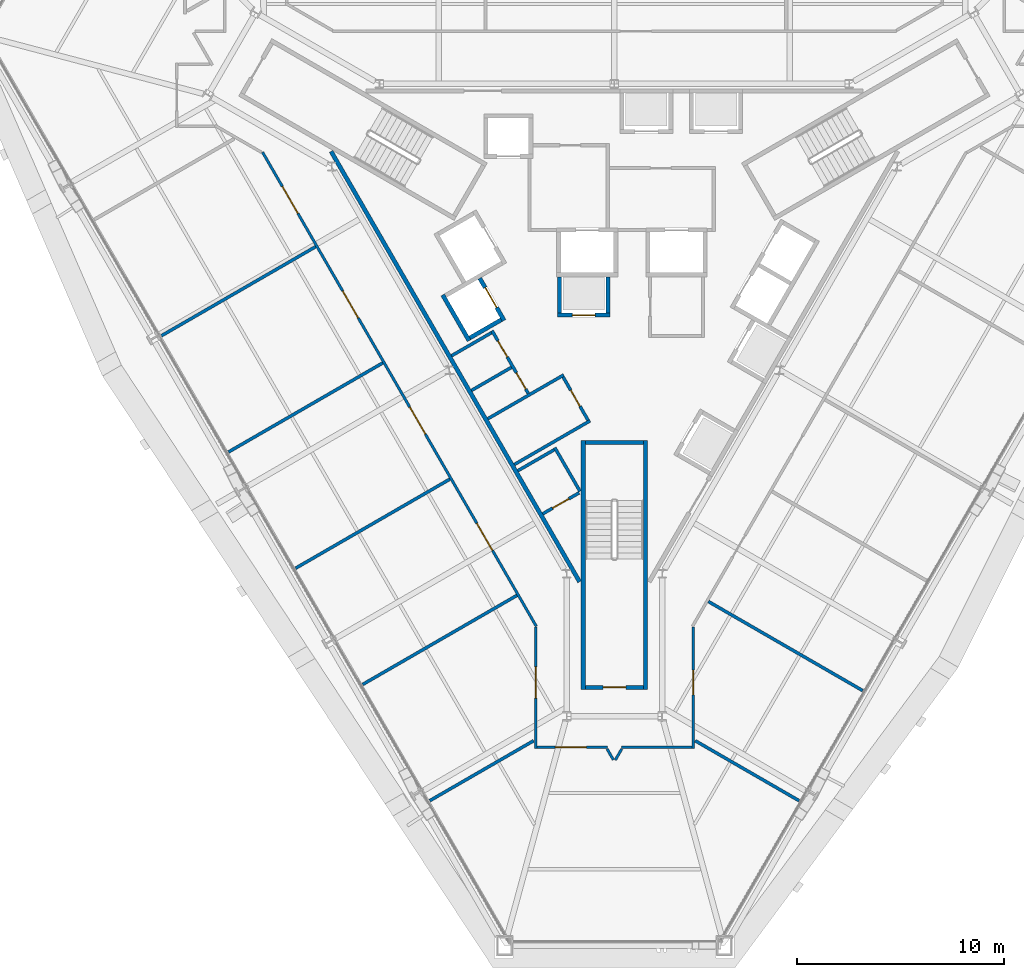
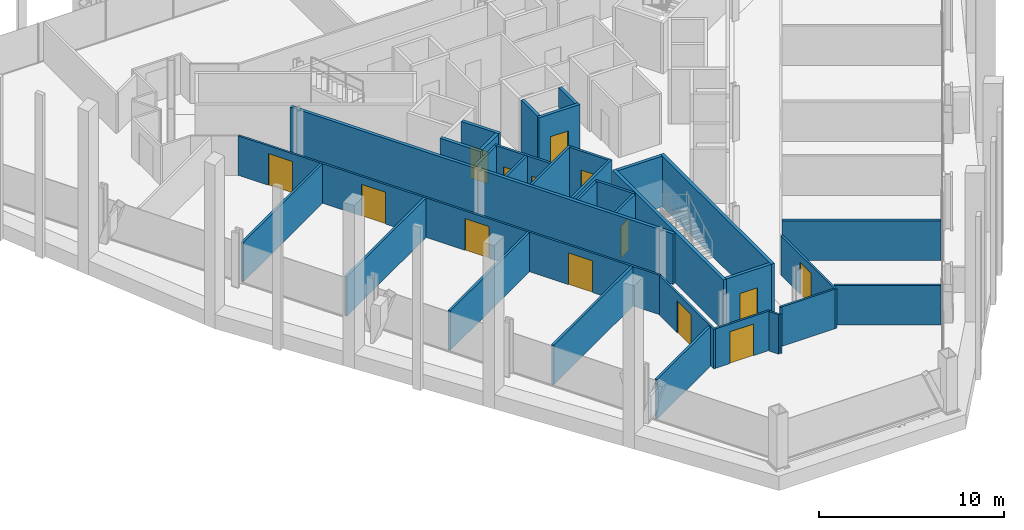
# One storey, part 10 of 16: 34 walls, 14 doors, 14 openings.
"""IFC4 building model written with IfcOpenShell, lengths in metres."""

from ifc_helpers import new_model, si_unit, direction, frame, frame_2d, origin, place, context, subcontext, project, spatial, rectangle, extrude, material, layer, layer_set, type_object, element, fill, save


model = new_model("IFC4")

# Units and contexts
model_context = context("Model", 3, precision=1e-05, world=origin(), true_north=direction((0.0, 1.0)))
body_context = subcontext(model_context, "Body", "Model", "MODEL_VIEW")
ifc_project = project(units=[si_unit("LENGTHUNIT", "METRE"), si_unit("AREAUNIT", "SQUARE_METRE"), si_unit("VOLUMEUNIT", "CUBIC_METRE"), si_unit("PLANEANGLEUNIT", "RADIAN"), si_unit("MASSUNIT", "GRAM", prefix="KILO")], contexts=[model_context])

# Site, building, storey
site_placement = place(None, origin())
site = spatial("IfcSite", under=ifc_project, at=site_placement, CompositionType="ELEMENT")
building_placement = place(site_placement, origin())
building = spatial("IfcBuilding", under=site, at=building_placement, Name="Verrane Prism Tower", CompositionType="ELEMENT")
storey_placement = place(building_placement, frame((0.0, 0.0, 36.800048828125)))
storey = spatial("IfcBuildingStorey", under=building, at=storey_placement, Name="L06", CompositionType="ELEMENT", Elevation=36.800048828125)

# Wall
ifc_material_1 = material(Name="Gypsum board partition", Category="other")
ifc_layer_1 = layer(ifc_material_1, 0.199951171875)
ifc_layer_set_1 = layer_set([ifc_layer_1], Name="CW-200 core boundary wall 2 h")
wall_type_1 = type_object("IfcWallType", Name="CW-200 core boundary wall 2 h", PredefinedType="PARTITIONING", material=ifc_layer_set_1)
wall_1_placement = place(storey_placement, frame((-13.66357421875, 5.946044921875, 0.0), z_axis=(0.0, 0.0, 1.0), x_axis=(0.499994327219, -0.866028678941, 0.0)))
element("IfcWall", 1, at=wall_1_placement, inside=storey, type_object=wall_type_1, Name="Core boundary wall CW3-001", PredefinedType="PARTITIONING", context=body_context, shape_type="SweptSolid", body=[
    extrude(rectangle(XDim=23.967529296875, YDim=0.199951171875, at=frame_2d((11.98388671875, 0.0))), origin(), (0.0, 0.0, 1.0), 3.349853515625),
])

# Wall, opening, door
ifc_material_2 = material(Name="Concrete C40/50", Category="concrete")
ifc_layer_2 = layer(ifc_material_2, 0.199951171875)
ifc_layer_set_2 = layer_set([ifc_layer_2], Name="CW-200 stair core wall concrete C40/50 3 h")
wall_type_2 = type_object("IfcWallType", Name="CW-200 stair core wall concrete C40/50 3 h", PredefinedType="PARTITIONING", material=ifc_layer_set_2)
wall_2_placement = place(storey_placement, frame((-1.39990234375, -19.89990234375, 0.0), z_axis=(0.0, 0.0, 1.0), x_axis=(1.0, 0.0, 0.0)))
wall_2 = element("IfcWall", 2, at=wall_2_placement, inside=storey, type_object=wall_type_2, Name="Stair 3 enclosure wall", PredefinedType="PARTITIONING", context=body_context, shape_type="SweptSolid", body=[
    extrude(rectangle(XDim=2.7998046875, YDim=0.199951171875, at=frame_2d((1.39990234375, 0.0))), origin(), (0.0, 0.0, 1.0), 3.349853515625),
])
opening_1_placement = place(wall_2_placement, frame((0.85009765625, 0.0, 0.0)))
opening_1 = element("IfcOpeningElement", 3, at=opening_1_placement, cuts=wall_2, Name="Opening D06502", PredefinedType="OPENING", context=body_context, shape_type="SweptSolid", body=[
    extrude(rectangle(XDim=1.10009765625, YDim=2.10009765625, at=frame_2d((0.550048828125, 1.050048828125))), frame((0.0, 0.10986328125, 0.0), z_axis=(0.0, -1.0, 0.0), x_axis=(1.0, 0.0, 0.0)), (0.0, 0.0, 1.0), 0.219970703125),
])
ifc_material_3 = material(Name="Timber veneered door leaf", Category="wood")
door_type_1 = type_object("IfcDoorType", Name="DR-1100x2100 FD90 single leaf stair", OperationType="NOTDEFINED", PredefinedType="DOOR", material=ifc_material_3)
door_1_placement = place(opening_1_placement, origin())
door_1 = element("IfcDoor", 4, at=door_1_placement, inside=storey, type_object=door_type_1, Name="Stair 3 door", OperationType="SINGLE_SWING_LEFT", OverallHeight=2.10009765625, OverallWidth=1.10009765625, PredefinedType="DOOR", context=body_context, shape_type="SweptSolid", body=[
    extrude(rectangle(XDim=1.10009765625, YDim=2.10009765625, at=frame_2d((0.550048828125, 1.050048828125))), frame((0.0, 0.02490234375, 0.0), z_axis=(0.0, -1.0, 0.0), x_axis=(1.0, 0.0, 0.0)), (0.0, 0.0, 1.0), 0.050048828125),
])
fill(opening_1, door_1)

# Walls
for number, where, z_axis, x_axis, name in (
    (5, (1.5, -8.0, 0.0), (0.0, 0.0, 1.0), (0.0, -1.0, 0.0), "Stair 3 enclosure wall"),
    (6, (-1.5, -8.0, 0.0), (0.0, 0.0, 1.0), (0.0, -1.0, 0.0), "Stair 3 enclosure wall"),
):
    element("IfcWall", number, at=place(storey_placement, frame(where, z_axis=z_axis, x_axis=x_axis)), inside=storey, type_object=wall_type_2, Name=name, PredefinedType="PARTITIONING", context=body_context, shape_type="SweptSolid", body=[
        extrude(rectangle(XDim=12.0, YDim=0.199951171875, at=frame_2d((6.0, 0.0))), origin(), (0.0, 0.0, 1.0), 3.349853515625),
    ])
wall_3_placement = place(storey_placement, frame((-1.39990234375, -8.10009765625, 0.0), z_axis=(0.0, 0.0, 1.0), x_axis=(1.0, 0.0, 0.0)))
element("IfcWall", 7, at=wall_3_placement, inside=storey, type_object=wall_type_2, Name="Stair 3 enclosure wall", PredefinedType="PARTITIONING", context=body_context, shape_type="SweptSolid", body=[
    extrude(rectangle(XDim=2.7998046875, YDim=0.199951171875, at=frame_2d((1.39990234375, 0.0))), origin(), (0.0, 0.0, 1.0), 3.349853515625),
])

# Wall, opening, door
ifc_material_4 = material(Name="Gypsum board shaft wall assembly", Category="other")
ifc_layer_3 = layer(ifc_material_4, 0.199951171875)
ifc_layer_set_3 = layer_set([ifc_layer_3], Name="HW-200 lift shaft wall 2 h")
wall_type_3 = type_object("IfcWallType", Name="HW-200 lift shaft wall 2 h", PredefinedType="PARTITIONING", material=ifc_layer_set_3)
wall_4_placement = place(storey_placement, frame((-2.7548828125, -1.949951171875, 0.0), z_axis=(0.0, 0.0, 1.0), x_axis=(1.0, 0.0, 0.0)))
wall_4 = element("IfcWall", 8, at=wall_4_placement, inside=storey, type_object=wall_type_3, Name="Lift shaft wall", PredefinedType="PARTITIONING", context=body_context, shape_type="SweptSolid", body=[
    extrude(rectangle(XDim=2.5498046875, YDim=0.199951171875, at=frame_2d((1.27490234375, 0.0))), origin(), (0.0, 0.0, 1.0), 3.599853515625),
])
opening_2_placement = place(wall_4_placement, frame((0.72509765625, 0.0, 0.0)))
opening_2 = element("IfcOpeningElement", 9, at=opening_2_placement, cuts=wall_4, Name="Opening D06508", PredefinedType="OPENING", context=body_context, shape_type="SweptSolid", body=[
    extrude(rectangle(XDim=1.10009765625, YDim=2.10009765625, at=frame_2d((0.550048828125, 1.050048828125))), frame((0.0, 0.10986328125, 0.0), z_axis=(0.0, -1.0, 0.0), x_axis=(1.0, 0.0, 0.0)), (0.0, 0.0, 1.0), 0.219970703125),
])
ifc_material_5 = material(Name="Stainless steel sliding landing door", Category="steel")
door_type_2 = type_object("IfcDoorType", Name="LD-1100x2100 lift landing door FD90 sliding", OperationType="NOTDEFINED", PredefinedType="DOOR", material=ifc_material_5)
door_2_placement = place(opening_2_placement, origin())
door_2 = element("IfcDoor", 10, at=door_2_placement, inside=storey, type_object=door_type_2, Name="Bank A lift 2 landing door", OperationType="SLIDING_TO_RIGHT", OverallHeight=2.10009765625, OverallWidth=1.10009765625, PredefinedType="DOOR", context=body_context, shape_type="SweptSolid", body=[
    extrude(rectangle(XDim=1.10009765625, YDim=2.10009765625, at=frame_2d((0.550048828125, 1.050048828125))), frame((0.0, 0.02490234375, 0.0), z_axis=(0.0, -1.0, 0.0), x_axis=(1.0, 0.0, 0.0)), (0.0, 0.0, 1.0), 0.050048828125),
])
fill(opening_2, door_2)

# Walls
for number, where, z_axis, x_axis, name in (
    (11, (-6.9697265625, -3.048095703125, 0.0), (0.0, 0.0, 1.0), (0.866036909293, 0.499980071345, 0.0), "Lift shaft wall"),
    (12, (-0.304931640625, -1.85009765625, 0.0), (0.0, 0.0, 1.0), (0.0, 1.0, 0.0), "Lift shaft wall"),
    (13, (-2.655029296875, -1.85009765625, 0.0), (0.0, 0.0, 1.0), (0.0, 1.0, 0.0), "Lift shaft wall"),
):
    element("IfcWall", number, at=place(storey_placement, frame(where, z_axis=z_axis, x_axis=x_axis)), inside=storey, type_object=wall_type_3, Name=name, PredefinedType="PARTITIONING", context=body_context, shape_type="SweptSolid", body=[
        extrude(rectangle(XDim=1.75, YDim=0.199951171875, at=frame_2d((0.875, 0.0))), origin(), (0.0, 0.0, 1.0), 3.599853515625),
    ])

# Wall, opening, door
wall_5_placement = place(storey_placement, frame((-5.317626953125, -2.209716796875, 0.0), z_axis=(0.0, 0.0, 1.0), x_axis=(-0.499938297808, 0.866061024631, 0.0)))
wall_5 = element("IfcWall", 14, at=wall_5_placement, inside=storey, type_object=wall_type_3, Name="Lift shaft wall", PredefinedType="PARTITIONING", context=body_context, shape_type="SweptSolid", body=[
    extrude(rectangle(XDim=2.349853515625, YDim=0.199951171875, at=frame_2d((1.1748046875, 0.0))), origin(), (0.0, 0.0, 1.0), 3.599853515625),
])
opening_3_placement = place(wall_5_placement, frame((0.72509765625, 0.0, 0.0)))
opening_3 = element("IfcOpeningElement", 15, at=opening_3_placement, cuts=wall_5, Name="Opening D06506", PredefinedType="OPENING", context=body_context, shape_type="SweptSolid", body=[
    extrude(rectangle(XDim=1.10009765625, YDim=2.10009765625, at=frame_2d((0.550048828125, 1.050048828125))), frame((0.0, 0.10986328125, 0.0), z_axis=(0.0, -1.0, 0.0), x_axis=(1.0, 0.0, 0.0)), (0.0, 0.0, 1.0), 0.219970703125),
])
door_3_placement = place(opening_3_placement, origin())
door_3 = element("IfcDoor", 16, at=door_3_placement, inside=storey, type_object=door_type_2, Name="Shuttle lift 4 landing door", OperationType="SLIDING_TO_RIGHT", OverallHeight=2.10009765625, OverallWidth=1.10009765625, PredefinedType="DOOR", context=body_context, shape_type="SweptSolid", body=[
    extrude(rectangle(XDim=1.10009765625, YDim=2.10009765625, at=frame_2d((0.550048828125, 1.050048828125))), frame((0.0, 0.02490234375, 0.0), z_axis=(0.0, -1.0, 0.0), x_axis=(1.0, 0.0, 0.0)), (0.0, 0.0, 1.0), 0.050048828125),
])
fill(opening_3, door_3)

# Wall
wall_6_placement = place(storey_placement, frame((-7.00634765625, -3.184814453125, 0.0), z_axis=(0.0, 0.0, 1.0), x_axis=(-0.499990435942, 0.866030925526, 0.0)))
element("IfcWall", 17, at=wall_6_placement, inside=storey, type_object=wall_type_3, Name="Lift shaft wall", PredefinedType="PARTITIONING", context=body_context, shape_type="SweptSolid", body=[
    extrude(rectangle(XDim=2.5498046875, YDim=0.199951171875, at=frame_2d((1.27490234375, 0.0))), origin(), (0.0, 0.0, 1.0), 3.599853515625),
])

# Wall, openings, doors
ifc_material_6 = material(Name="Gypsum board partition", Category="other")
ifc_layer_4 = layer(ifc_material_6, 0.125)
ifc_layer_set_4 = layer_set([ifc_layer_4], Name="PW-125 corridor wall 1 h")
wall_type_4 = type_object("IfcWallType", Name="PW-125 corridor wall 1 h", PredefinedType="PARTITIONING", material=ifc_layer_set_4)
wall_7_placement = place(storey_placement, frame((-3.765869140625, -16.9580078125, 0.0), z_axis=(0.0, 0.0, 1.0), x_axis=(-0.500024758804, 0.866011108811, 0.0)))
wall_7 = element("IfcWall", 18, at=wall_7_placement, inside=storey, type_object=wall_type_4, Name="Corridor wall 414", PredefinedType="PARTITIONING", context=body_context, shape_type="SweptSolid", body=[
    extrude(rectangle(XDim=26.401611328125, YDim=0.125, at=frame_2d((13.20068359375, 0.0))), origin(), (0.0, 0.0, 1.0), 2.613037109375),
])
opening_4_placement = place(wall_7_placement, frame((22.9892578125, 0.0, 0.0)))
opening_4 = element("IfcOpeningElement", 19, at=opening_4_placement, cuts=wall_7, Name="Opening D06305", PredefinedType="OPENING", context=body_context, shape_type="SweptSolid", body=[
    extrude(rectangle(XDim=1.5, YDim=2.10009765625, at=frame_2d((0.75, 1.050048828125))), frame((0.0, 0.072509765625, 0.0), z_axis=(0.0, -1.0, 0.0), x_axis=(1.0, 0.0, 0.0)), (0.0, 0.0, 1.0), 0.14501953125),
])
opening_5_placement = place(wall_7_placement, frame((17.17529296875, 0.0, 0.0)))
opening_5 = element("IfcOpeningElement", 20, at=opening_5_placement, cuts=wall_7, Name="Opening D06306", PredefinedType="OPENING", context=body_context, shape_type="SweptSolid", body=[
    extrude(rectangle(XDim=1.5, YDim=2.10009765625, at=frame_2d((0.75, 1.050048828125))), frame((0.0, 0.072509765625, 0.0), z_axis=(0.0, -1.0, 0.0), x_axis=(1.0, 0.0, 0.0)), (0.0, 0.0, 1.0), 0.14501953125),
])
opening_6_placement = place(wall_7_placement, frame((10.703369140625, 0.0, 0.0)))
opening_6 = element("IfcOpeningElement", 21, at=opening_6_placement, cuts=wall_7, Name="Opening D06307", PredefinedType="OPENING", context=body_context, shape_type="SweptSolid", body=[
    extrude(rectangle(XDim=1.5, YDim=2.10009765625, at=frame_2d((0.75, 1.050048828125))), frame((0.0, 0.072509765625, 0.0), z_axis=(0.0, -1.0, 0.0), x_axis=(1.0, 0.0, 0.0)), (0.0, 0.0, 1.0), 0.14501953125),
])
opening_7_placement = place(wall_7_placement, frame((4.231201171875, 0.0, 0.0)))
opening_7 = element("IfcOpeningElement", 22, at=opening_7_placement, cuts=wall_7, Name="Opening D06308", PredefinedType="OPENING", context=body_context, shape_type="SweptSolid", body=[
    extrude(rectangle(XDim=1.5, YDim=2.10009765625, at=frame_2d((0.75, 1.050048828125))), frame((0.0, 0.072509765625, 0.0), z_axis=(0.0, -1.0, 0.0), x_axis=(1.0, 0.0, 0.0)), (0.0, 0.0, 1.0), 0.14501953125),
])
ifc_material_7 = material(Name="Timber veneered door leaf", Category="wood")
door_type_3 = type_object("IfcDoorType", Name="DR-1500x2100 FD20 double leaf public", OperationType="NOTDEFINED", PredefinedType="DOOR", material=ifc_material_7)
door_4_placement = place(opening_4_placement, origin())
door_4 = element("IfcDoor", 23, at=door_4_placement, inside=storey, type_object=door_type_3, Name="Meeting Room door", OperationType="DOUBLE_DOOR_SINGLE_SWING", OverallHeight=2.10009765625, OverallWidth=1.5, PredefinedType="DOOR", context=body_context, shape_type="SweptSolid", body=[
    extrude(rectangle(XDim=1.5, YDim=2.10009765625, at=frame_2d((0.75, 1.050048828125))), frame((0.0, 0.02490234375, 0.0), z_axis=(0.0, -1.0, 0.0), x_axis=(1.0, 0.0, 0.0)), (0.0, 0.0, 1.0), 0.050048828125),
])
fill(opening_4, door_4)
door_5_placement = place(opening_5_placement, origin())
door_5 = element("IfcDoor", 24, at=door_5_placement, inside=storey, type_object=door_type_3, Name="Meeting Room door", OperationType="DOUBLE_DOOR_SINGLE_SWING", OverallHeight=2.10009765625, OverallWidth=1.5, PredefinedType="DOOR", context=body_context, shape_type="SweptSolid", body=[
    extrude(rectangle(XDim=1.5, YDim=2.10009765625, at=frame_2d((0.75, 1.050048828125))), frame((0.0, 0.02490234375, 0.0), z_axis=(0.0, -1.0, 0.0), x_axis=(1.0, 0.0, 0.0)), (0.0, 0.0, 1.0), 0.050048828125),
])
fill(opening_5, door_5)
door_6_placement = place(opening_6_placement, origin())
door_6 = element("IfcDoor", 25, at=door_6_placement, inside=storey, type_object=door_type_3, Name="Meeting Room door", OperationType="DOUBLE_DOOR_SINGLE_SWING", OverallHeight=2.10009765625, OverallWidth=1.5, PredefinedType="DOOR", context=body_context, shape_type="SweptSolid", body=[
    extrude(rectangle(XDim=1.5, YDim=2.10009765625, at=frame_2d((0.75, 1.050048828125))), frame((0.0, 0.02490234375, 0.0), z_axis=(0.0, -1.0, 0.0), x_axis=(1.0, 0.0, 0.0)), (0.0, 0.0, 1.0), 0.050048828125),
])
fill(opening_6, door_6)
door_7_placement = place(opening_7_placement, origin())
door_7 = element("IfcDoor", 26, at=door_7_placement, inside=storey, type_object=door_type_3, Name="Meeting Room door", OperationType="DOUBLE_DOOR_SINGLE_SWING", OverallHeight=2.10009765625, OverallWidth=1.5, PredefinedType="DOOR", context=body_context, shape_type="SweptSolid", body=[
    extrude(rectangle(XDim=1.5, YDim=2.10009765625, at=frame_2d((0.75, 1.050048828125))), frame((0.0, 0.02490234375, 0.0), z_axis=(0.0, -1.0, 0.0), x_axis=(1.0, 0.0, 0.0)), (0.0, 0.0, 1.0), 0.050048828125),
])
fill(opening_7, door_7)

# Wall, opening, door
wall_8_placement = place(storey_placement, frame((-3.797119140625, -22.859619140625, 0.0), z_axis=(0.0, 0.0, 1.0), x_axis=(0.0, 1.0, 0.0)))
wall_8 = element("IfcWall", 27, at=wall_8_placement, inside=storey, type_object=wall_type_4, Name="Corridor wall 422", PredefinedType="PARTITIONING", context=body_context, shape_type="SweptSolid", body=[
    extrude(rectangle(XDim=5.87060546875, YDim=0.125, at=frame_2d((2.935302734375, 0.0))), origin(), (0.0, 0.0, 1.0), 2.613037109375),
])
opening_8_placement = place(wall_8_placement, frame((2.4423828125, 0.0, 0.0)))
opening_8 = element("IfcOpeningElement", 28, at=opening_8_placement, cuts=wall_8, Name="Opening D06309", PredefinedType="OPENING", context=body_context, shape_type="SweptSolid", body=[
    extrude(rectangle(XDim=1.5, YDim=2.10009765625, at=frame_2d((0.75, 1.050048828125))), frame((0.0, 0.072509765625, 0.0), z_axis=(0.0, -1.0, 0.0), x_axis=(1.0, 0.0, 0.0)), (0.0, 0.0, 1.0), 0.14501953125),
])
door_8_placement = place(opening_8_placement, origin())
door_8 = element("IfcDoor", 29, at=door_8_placement, inside=storey, type_object=door_type_3, Name="Meeting Room door", OperationType="DOUBLE_DOOR_SINGLE_SWING", OverallHeight=2.10009765625, OverallWidth=1.5, PredefinedType="DOOR", context=body_context, shape_type="SweptSolid", body=[
    extrude(rectangle(XDim=1.5, YDim=2.10009765625, at=frame_2d((0.75, 1.050048828125))), frame((0.0, 0.02490234375, 0.0), z_axis=(0.0, -1.0, 0.0), x_axis=(1.0, 0.0, 0.0)), (0.0, 0.0, 1.0), 0.050048828125),
])
fill(opening_8, door_8)

wall_9_placement = place(storey_placement, frame((-0.33251953125, -22.797119140625, 0.0), z_axis=(0.0, 0.0, 1.0), x_axis=(-1.0, 0.0, 0.0)))
wall_9 = element("IfcWall", 30, at=wall_9_placement, inside=storey, type_object=wall_type_4, Name="Corridor wall 423", PredefinedType="PARTITIONING", context=body_context, shape_type="SweptSolid", body=[
    extrude(rectangle(XDim=3.3994140625, YDim=0.125, at=frame_2d((1.69970703125, 0.0))), origin(), (0.0, 0.0, 1.0), 2.613037109375),
])
opening_9_placement = place(wall_9_placement, frame((1.014404296875, 0.0, 0.0)))
opening_9 = element("IfcOpeningElement", 31, at=opening_9_placement, cuts=wall_9, Name="Opening D06310", PredefinedType="OPENING", context=body_context, shape_type="SweptSolid", body=[
    extrude(rectangle(XDim=1.5, YDim=2.10009765625, at=frame_2d((0.75, 1.050048828125))), frame((0.0, 0.072509765625, 0.0), z_axis=(0.0, -1.0, 0.0), x_axis=(1.0, 0.0, 0.0)), (0.0, 0.0, 1.0), 0.14501953125),
])
door_9_placement = place(opening_9_placement, origin())
door_9 = element("IfcDoor", 32, at=door_9_placement, inside=storey, type_object=door_type_3, Name="Sky Lounge door", OperationType="DOUBLE_DOOR_SINGLE_SWING", OverallHeight=2.10009765625, OverallWidth=1.5, PredefinedType="DOOR", context=body_context, shape_type="SweptSolid", body=[
    extrude(rectangle(XDim=1.5, YDim=2.10009765625, at=frame_2d((0.75, 1.050048828125))), frame((0.0, 0.02490234375, 0.0), z_axis=(0.0, -1.0, 0.0), x_axis=(1.0, 0.0, 0.0)), (0.0, 0.0, 1.0), 0.050048828125),
])
fill(opening_9, door_9)

# Walls
wall_10_placement = place(storey_placement, frame((-0.3525390625, -22.87060546875, 0.0), z_axis=(0.0, 0.0, 1.0), x_axis=(0.499863517517, -0.866104187645, 0.0)))
element("IfcWall", 33, at=wall_10_placement, inside=storey, type_object=wall_type_4, Name="Corridor wall 424", PredefinedType="PARTITIONING", context=body_context, shape_type="SweptSolid", body=[
    extrude(rectangle(XDim=0.599365234375, YDim=0.125, at=frame_2d((0.2998046875, 0.0))), origin(), (0.0, 0.0, 1.0), 2.613037109375),
])
wall_11_placement = place(storey_placement, frame((0.04296875, -23.406982421875, 0.0), z_axis=(0.0, 0.0, 1.0), x_axis=(0.499870333213, 0.866100253997, 0.0)))
element("IfcWall", 34, at=wall_11_placement, inside=storey, type_object=wall_type_4, Name="Corridor wall 425", PredefinedType="PARTITIONING", context=body_context, shape_type="SweptSolid", body=[
    extrude(rectangle(XDim=0.619384765625, YDim=0.125, at=frame_2d((0.3095703125, 0.0))), origin(), (0.0, 0.0, 1.0), 2.613037109375),
])
wall_12_placement = place(storey_placement, frame((0.33251953125, -22.797119140625, 0.0), z_axis=(0.0, 0.0, 1.0), x_axis=(1.0, 0.0, 0.0)))
element("IfcWall", 35, at=wall_12_placement, inside=storey, type_object=wall_type_4, Name="Corridor wall 426", PredefinedType="PARTITIONING", context=body_context, shape_type="SweptSolid", body=[
    extrude(rectangle(XDim=3.3994140625, YDim=0.125, at=frame_2d((1.69970703125, 0.0))), origin(), (0.0, 0.0, 1.0), 2.613037109375),
])

# Wall, opening, door
wall_13_placement = place(storey_placement, frame((3.797119140625, -16.989013671875, 0.0), z_axis=(0.0, 0.0, 1.0), x_axis=(0.0, -1.0, 0.0)))
wall_13 = element("IfcWall", 36, at=wall_13_placement, inside=storey, type_object=wall_type_4, Name="Corridor wall 427", PredefinedType="PARTITIONING", context=body_context, shape_type="SweptSolid", body=[
    extrude(rectangle(XDim=5.87060546875, YDim=0.125, at=frame_2d((2.935302734375, 0.0))), origin(), (0.0, 0.0, 1.0), 2.613037109375),
])
opening_10_placement = place(wall_13_placement, frame((2.077880859375, 0.0, 0.0)))
opening_10 = element("IfcOpeningElement", 37, at=opening_10_placement, cuts=wall_13, Name="Opening D06311", PredefinedType="OPENING", context=body_context, shape_type="SweptSolid", body=[
    extrude(rectangle(XDim=1.199951171875, YDim=2.10009765625, at=frame_2d((0.60009765625, 1.050048828125))), frame((0.0, 0.072509765625, 0.0), z_axis=(0.0, -1.0, 0.0), x_axis=(1.0, 0.0, 0.0)), (0.0, 0.0, 1.0), 0.14501953125),
])
ifc_material_8 = material(Name="Timber veneered door leaf", Category="wood")
door_type_4 = type_object("IfcDoorType", Name="DR-1200x2100 FD20 single leaf unit", OperationType="NOTDEFINED", PredefinedType="DOOR", material=ifc_material_8)
door_10_placement = place(opening_10_placement, origin())
door_10 = element("IfcDoor", 38, at=door_10_placement, inside=storey, type_object=door_type_4, Name="Hotel Retail door", OperationType="SINGLE_SWING_RIGHT", OverallHeight=2.10009765625, OverallWidth=1.199951171875, PredefinedType="DOOR", context=body_context, shape_type="SweptSolid", body=[
    extrude(rectangle(XDim=1.199951171875, YDim=2.10009765625, at=frame_2d((0.60009765625, 1.050048828125))), frame((0.0, 0.02490234375, 0.0), z_axis=(0.0, -1.0, 0.0), x_axis=(1.0, 0.0, 0.0)), (0.0, 0.0, 1.0), 0.050048828125),
])
fill(opening_10, door_10)

# Walls
ifc_material_9 = material(Name="Gypsum board partition", Category="other")
ifc_layer_5 = layer(ifc_material_9, 0.14990234375)
ifc_layer_set_5 = layer_set([ifc_layer_5], Name="PW-150 demising wall 1 h")
wall_type_5 = type_object("IfcWallType", Name="PW-150 demising wall 1 h", PredefinedType="PARTITIONING", material=ifc_layer_set_5)
wall_14_placement = place(storey_placement, frame((-21.847900390625, -2.947998046875, 0.0), z_axis=(0.0, 0.0, 1.0), x_axis=(0.865958884393, 0.500115197271, 0.0)))
element("IfcWall", 39, at=wall_14_placement, inside=storey, type_object=wall_type_5, Name="Demising wall 402", PredefinedType="PARTITIONING", context=body_context, shape_type="SweptSolid", body=[
    extrude(rectangle(XDim=8.59130859375, YDim=0.14990234375, at=frame_2d((4.295654296875, 0.0))), origin(), (0.0, 0.0, 1.0), 2.613037109375),
])
wall_15_placement = place(storey_placement, frame((-18.6123046875, -8.5517578125, 0.0), z_axis=(0.0, 0.0, 1.0), x_axis=(0.866034625887, 0.499984026509, 0.0)))
element("IfcWall", 40, at=wall_15_placement, inside=storey, type_object=wall_type_5, Name="Demising wall 413", PredefinedType="PARTITIONING", context=body_context, shape_type="SweptSolid", body=[
    extrude(rectangle(XDim=8.591064453125, YDim=0.14990234375, at=frame_2d((4.29541015625, 0.0))), origin(), (0.0, 0.0, 1.0), 2.613037109375),
])
for number, where, z_axis, x_axis, name in (
    (41, (-15.37646484375, -14.15673828125, 0.0), (0.0, 0.0, 1.0), (0.866041729639, 0.499971721724, 0.0), "Demising wall 417"),
    (42, (-12.140625, -19.760986328125, 0.0), (0.0, 0.0, 1.0), (0.866029425019, 0.499993034952, 0.0), "Demising wall 419"),
):
    element("IfcWall", number, at=place(storey_placement, frame(where, z_axis=z_axis, x_axis=x_axis)), inside=storey, type_object=wall_type_5, Name=name, PredefinedType="PARTITIONING", context=body_context, shape_type="SweptSolid", body=[
        extrude(rectangle(XDim=8.59130859375, YDim=0.14990234375, at=frame_2d((4.295654296875, 0.0))), origin(), (0.0, 0.0, 1.0), 2.613037109375),
    ])
for number, where, z_axis, x_axis, name in (
    (43, (-8.904541015625, -25.365966796875, 0.0), (0.0, 0.0, 1.0), (0.866025977343, 0.499999006567, 0.0), "Demising wall 420"),
    (44, (3.89697265625, -22.474853515625, 0.0), (0.0, 0.0, 1.0), (0.866025977343, -0.499999006567, 0.0), "Demising wall 428"),
):
    element("IfcWall", number, at=place(storey_placement, frame(where, z_axis=z_axis, x_axis=x_axis)), inside=storey, type_object=wall_type_5, Name=name, PredefinedType="PARTITIONING", context=body_context, shape_type="SweptSolid", body=[
        extrude(rectangle(XDim=5.7822265625, YDim=0.14990234375, at=frame_2d((2.89111328125, 0.0))), origin(), (0.0, 0.0, 1.0), 2.613037109375),
    ])
wall_16_placement = place(storey_placement, frame((4.530029296875, -15.76025390625, 0.0), z_axis=(0.0, 0.0, 1.0), x_axis=(0.866029425019, -0.499993034952, 0.0)))
element("IfcWall", 45, at=wall_16_placement, inside=storey, type_object=wall_type_5, Name="Demising wall 430", PredefinedType="PARTITIONING", context=body_context, shape_type="SweptSolid", body=[
    extrude(rectangle(XDim=8.59130859375, YDim=0.14990234375, at=frame_2d((4.295654296875, 0.0))), origin(), (0.0, 0.0, 1.0), 2.613037109375),
])
ifc_material_10 = material(Name="Gypsum board partition", Category="other")
ifc_layer_6 = layer(ifc_material_10, 0.14990234375)
ifc_layer_set_6 = layer_set([ifc_layer_6], Name="RS-150 riser enclosure wall 1 h")
wall_type_6 = type_object("IfcWallType", Name="RS-150 riser enclosure wall 1 h", PredefinedType="PARTITIONING", material=ifc_layer_set_6)
wall_17_placement = place(storey_placement, frame((-7.8564453125, -3.912109375, 0.0), z_axis=(0.0, 0.0, 1.0), x_axis=(0.865971748, 0.500092923031, 0.0)))
element("IfcWall", 46, at=wall_17_placement, inside=storey, type_object=wall_type_6, Name="Riser wall RS3-001", PredefinedType="PARTITIONING", context=body_context, shape_type="SweptSolid", body=[
    extrude(rectangle(XDim=2.224609375, YDim=0.14990234375, at=frame_2d((1.1123046875, 0.0))), origin(), (0.0, 0.0, 1.0), 3.349853515625),
])
wall_18_placement = place(storey_placement, frame((-6.892333984375, -5.58203125, 0.0), z_axis=(0.0, 0.0, 1.0), x_axis=(0.865944298464, 0.500140452231, 0.0)))
element("IfcWall", 47, at=wall_18_placement, inside=storey, type_object=wall_type_6, Name="Riser wall RS3-002", PredefinedType="PARTITIONING", context=body_context, shape_type="SweptSolid", body=[
    extrude(rectangle(XDim=2.224365234375, YDim=0.14990234375, at=frame_2d((1.1123046875, 0.0))), origin(), (0.0, 0.0, 1.0), 3.349853515625),
])
wall_19_placement = place(storey_placement, frame((-6.10009765625, -6.945556640625, 0.0), z_axis=(0.0, 0.0, 1.0), x_axis=(0.866038200431, 0.499977834903, 0.0)))
element("IfcWall", 48, at=wall_19_placement, inside=storey, type_object=wall_type_6, Name="Riser wall RS3-003", PredefinedType="PARTITIONING", context=body_context, shape_type="SweptSolid", body=[
    extrude(rectangle(XDim=4.220458984375, YDim=0.14990234375, at=frame_2d((2.1103515625, 0.0))), origin(), (0.0, 0.0, 1.0), 3.349853515625),
])

# Wall, openings, doors
wall_20_placement = place(storey_placement, frame((-4.152099609375, -5.728759765625, 0.0), z_axis=(0.0, 0.0, 1.0), x_axis=(-0.500024287448, 0.866011380966, 0.0)))
wall_20 = element("IfcWall", 49, at=wall_20_placement, inside=storey, type_object=wall_type_6, Name="Riser wall RS3-004", PredefinedType="PARTITIONING", context=body_context, shape_type="SweptSolid", body=[
    extrude(rectangle(XDim=3.500732421875, YDim=0.14990234375, at=frame_2d((1.75048828125, 0.0))), origin(), (0.0, 0.0, 1.0), 3.349853515625),
])
opening_11_placement = place(wall_20_placement, frame((2.025634765625, 0.0, 0.0)))
opening_11 = element("IfcOpeningElement", 50, at=opening_11_placement, cuts=wall_20, Name="Opening D06516", PredefinedType="OPENING", context=body_context, shape_type="SweptSolid", body=[
    extrude(rectangle(XDim=0.89990234375, YDim=2.10009765625, at=frame_2d((0.449951171875, 1.050048828125))), frame((0.0, 0.0849609375, 0.0), z_axis=(0.0, -1.0, 0.0), x_axis=(1.0, 0.0, 0.0)), (0.0, 0.0, 1.0), 0.169921875),
])
opening_12_placement = place(wall_20_placement, frame((0.247802734375, 0.0, 0.0)))
opening_12 = element("IfcOpeningElement", 51, at=opening_12_placement, cuts=wall_20, Name="Opening D06517", PredefinedType="OPENING", context=body_context, shape_type="SweptSolid", body=[
    extrude(rectangle(XDim=0.89990234375, YDim=2.10009765625, at=frame_2d((0.449951171875, 1.050048828125))), frame((0.0, 0.0849609375, 0.0), z_axis=(0.0, -1.0, 0.0), x_axis=(1.0, 0.0, 0.0)), (0.0, 0.0, 1.0), 0.169921875),
])
ifc_material_11 = material(Name="Timber veneered door leaf", Category="wood")
door_type_5 = type_object("IfcDoorType", Name="DR-900x2100 FD60 single leaf riser", OperationType="NOTDEFINED", PredefinedType="DOOR", material=ifc_material_11)
door_11_placement = place(opening_11_placement, origin())
door_11 = element("IfcDoor", 52, at=door_11_placement, inside=storey, type_object=door_type_5, Name="Riser door D06516", OperationType="SINGLE_SWING_RIGHT", OverallHeight=2.10009765625, OverallWidth=0.89990234375, PredefinedType="DOOR", context=body_context, shape_type="SweptSolid", body=[
    extrude(rectangle(XDim=0.89990234375, YDim=2.10009765625, at=frame_2d((0.449951171875, 1.050048828125))), frame((0.0, 0.02490234375, 0.0), z_axis=(0.0, -1.0, 0.0), x_axis=(1.0, 0.0, 0.0)), (0.0, 0.0, 1.0), 0.050048828125),
])
fill(opening_11, door_11)
door_12_placement = place(opening_12_placement, origin())
door_12 = element("IfcDoor", 53, at=door_12_placement, inside=storey, type_object=door_type_5, Name="Riser door D06517", OperationType="SINGLE_SWING_LEFT", OverallHeight=2.10009765625, OverallWidth=0.89990234375, PredefinedType="DOOR", context=body_context, shape_type="SweptSolid", body=[
    extrude(rectangle(XDim=0.89990234375, YDim=2.10009765625, at=frame_2d((0.449951171875, 1.050048828125))), frame((0.0, 0.02490234375, 0.0), z_axis=(0.0, -1.0, 0.0), x_axis=(1.0, 0.0, 0.0)), (0.0, 0.0, 1.0), 0.050048828125),
])
fill(opening_12, door_12)

# Walls
wall_21_placement = place(storey_placement, frame((-4.824951171875, -9.153564453125, 0.0), z_axis=(0.0, 0.0, 1.0), x_axis=(0.866023738697, 0.500002884005, 0.0)))
element("IfcWall", 54, at=wall_21_placement, inside=storey, type_object=wall_type_6, Name="Riser wall RS3-005", PredefinedType="PARTITIONING", context=body_context, shape_type="SweptSolid", body=[
    extrude(rectangle(XDim=4.22021484375, YDim=0.14990234375, at=frame_2d((2.110107421875, 0.0))), origin(), (0.0, 0.0, 1.0), 3.349853515625),
])
wall_22_placement = place(storey_placement, frame((-4.656494140625, -9.455078125, 0.0), z_axis=(0.0, 0.0, 1.0), x_axis=(0.86597878118, 0.500080744026, 0.0)))
element("IfcWall", 55, at=wall_22_placement, inside=storey, type_object=wall_type_6, Name="Riser wall RS3-006", PredefinedType="PARTITIONING", context=body_context, shape_type="SweptSolid", body=[
    extrude(rectangle(XDim=2.025146484375, YDim=0.14990234375, at=frame_2d((1.0126953125, 0.0))), origin(), (0.0, 0.0, 1.0), 3.349853515625),
])

# Wall, opening, door
wall_23_placement = place(storey_placement, frame((-3.456298828125, -11.532958984375, 0.0), z_axis=(0.0, 0.0, 1.0), x_axis=(0.866000843773, 0.500042536776, 0.0)))
wall_23 = element("IfcWall", 56, at=wall_23_placement, inside=storey, type_object=wall_type_6, Name="Riser wall RS3-007", PredefinedType="PARTITIONING", context=body_context, shape_type="SweptSolid", body=[
    extrude(rectangle(XDim=2.024658203125, YDim=0.14990234375, at=frame_2d((1.01220703125, 0.0))), origin(), (0.0, 0.0, 1.0), 3.349853515625),
])
opening_13_placement = place(wall_23_placement, frame((0.550048828125, 0.0, 0.0)))
opening_13 = element("IfcOpeningElement", 57, at=opening_13_placement, cuts=wall_23, Name="Opening D06519", PredefinedType="OPENING", context=body_context, shape_type="SweptSolid", body=[
    extrude(rectangle(XDim=0.89990234375, YDim=2.10009765625, at=frame_2d((0.449951171875, 1.050048828125))), frame((0.0, 0.0849609375, 0.0), z_axis=(0.0, -1.0, 0.0), x_axis=(1.0, 0.0, 0.0)), (0.0, 0.0, 1.0), 0.169921875),
])
ifc_material_12 = material(Name="Timber veneered door leaf", Category="wood")
door_type_6 = type_object("IfcDoorType", Name="DR-900x2100 FD20 single leaf store", OperationType="NOTDEFINED", PredefinedType="DOOR", material=ifc_material_12)
door_13_placement = place(opening_13_placement, origin())
door_13 = element("IfcDoor", 58, at=door_13_placement, inside=storey, type_object=door_type_6, Name="Room door D06519", OperationType="SINGLE_SWING_LEFT", OverallHeight=2.10009765625, OverallWidth=0.89990234375, PredefinedType="DOOR", context=body_context, shape_type="SweptSolid", body=[
    extrude(rectangle(XDim=0.89990234375, YDim=2.10009765625, at=frame_2d((0.449951171875, 1.050048828125))), frame((0.0, 0.02490234375, 0.0), z_axis=(0.0, -1.0, 0.0), x_axis=(1.0, 0.0, 0.0)), (0.0, 0.0, 1.0), 0.050048828125),
])
fill(opening_13, door_13)

# Wall
wall_24_placement = place(storey_placement, frame((-2.87548828125, -8.340087890625, 0.0), z_axis=(0.0, 0.0, 1.0), x_axis=(0.500118864444, -0.865956766488, 0.0)))
element("IfcWall", 59, at=wall_24_placement, inside=storey, type_object=wall_type_6, Name="Riser wall RS3-008", PredefinedType="PARTITIONING", context=body_context, shape_type="SweptSolid", body=[
    extrude(rectangle(XDim=2.4345703125, YDim=0.14990234375, at=frame_2d((1.21728515625, 0.0))), origin(), (0.0, 0.0, 1.0), 3.349853515625),
])

# Wall, opening, door
wall_25_placement = place(storey_placement, frame((-1.2724609375, -7.01611328125, 0.0), z_axis=(0.0, 0.0, 1.0), x_axis=(-0.500045362686, 0.865999212041, 0.0)))
wall_25 = element("IfcWall", 60, at=wall_25_placement, inside=storey, type_object=wall_type_6, Name="Riser wall RS3-009", PredefinedType="PARTITIONING", context=body_context, shape_type="SweptSolid", body=[
    extrude(rectangle(XDim=2.399658203125, YDim=0.14990234375, at=frame_2d((1.19970703125, 0.0))), origin(), (0.0, 0.0, 1.0), 3.349853515625),
])
opening_14_placement = place(wall_25_placement, frame((0.774658203125, 0.0, 0.0)))
opening_14 = element("IfcOpeningElement", 61, at=opening_14_placement, cuts=wall_25, Name="Opening D06520", PredefinedType="OPENING", context=body_context, shape_type="SweptSolid", body=[
    extrude(rectangle(XDim=0.89990234375, YDim=2.10009765625, at=frame_2d((0.449951171875, 1.050048828125))), frame((0.0, 0.0849609375, 0.0), z_axis=(0.0, -1.0, 0.0), x_axis=(1.0, 0.0, 0.0)), (0.0, 0.0, 1.0), 0.169921875),
])
door_14_placement = place(opening_14_placement, origin())
door_14 = element("IfcDoor", 62, at=door_14_placement, inside=storey, type_object=door_type_6, Name="Room door D06520", OperationType="SINGLE_SWING_RIGHT", OverallHeight=2.10009765625, OverallWidth=0.89990234375, PredefinedType="DOOR", context=body_context, shape_type="SweptSolid", body=[
    extrude(rectangle(XDim=0.89990234375, YDim=2.10009765625, at=frame_2d((0.449951171875, 1.050048828125))), frame((0.0, 0.02490234375, 0.0), z_axis=(0.0, -1.0, 0.0), x_axis=(1.0, 0.0, 0.0)), (0.0, 0.0, 1.0), 0.050048828125),
])
fill(opening_14, door_14)

save(model, "model.ifc")
